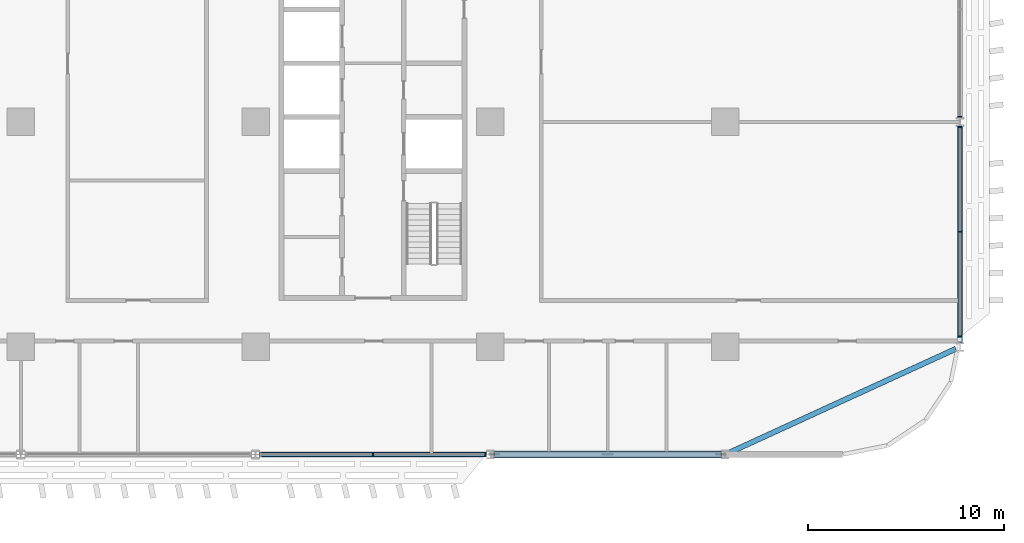
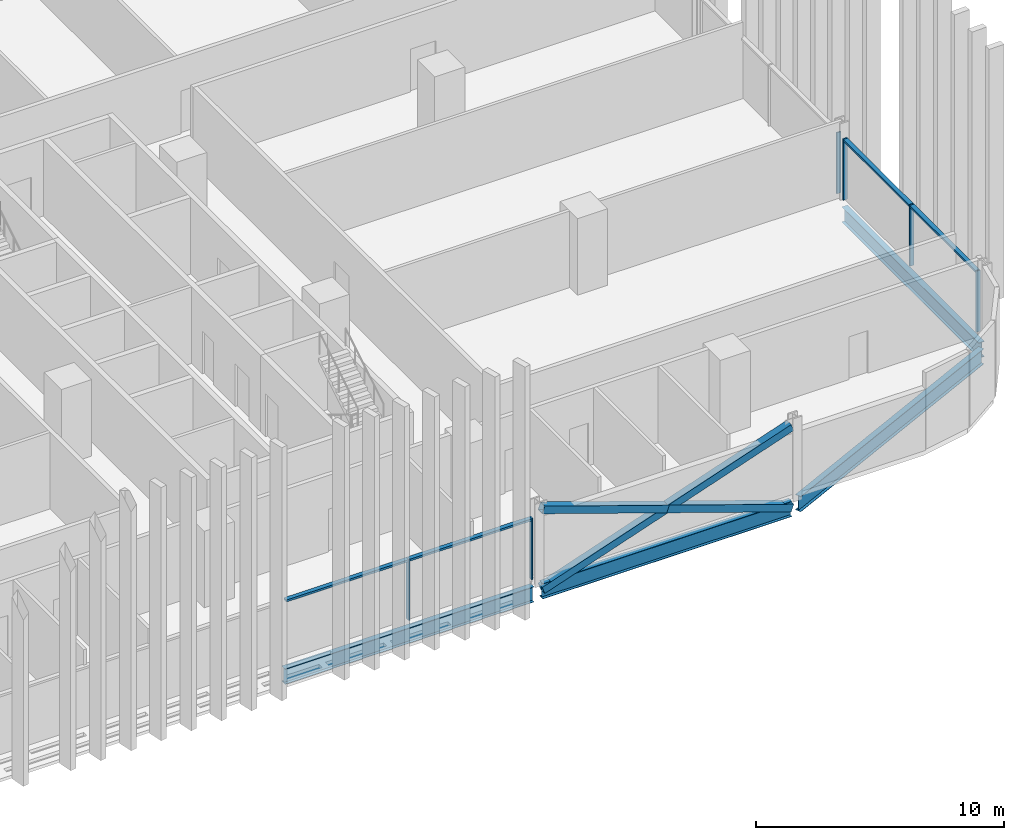
# One storey, part 8 of 31: 13 members, 4 beams, 3 elements without a shape of their own.
"""IFC4 building model written with IfcOpenShell, lengths in metres."""

from ifc_helpers import new_model, si_unit, direction, frame, origin, origin_2d, place, context, subcontext, project, spatial, rectangle, hollow_rectangle, i_section, extrude, material, material_profile, profile_set, type_object, element, aggregate, save


model = new_model("IFC4")

# Units and contexts
model_context = context("Model", 3, precision=1e-05, world=origin(), true_north=direction((0.0, 1.0)))
body_context = subcontext(model_context, "Body", "Model", "MODEL_VIEW")
ifc_project = project(units=[si_unit("LENGTHUNIT", "METRE"), si_unit("AREAUNIT", "SQUARE_METRE"), si_unit("VOLUMEUNIT", "CUBIC_METRE"), si_unit("PLANEANGLEUNIT", "RADIAN"), si_unit("MASSUNIT", "GRAM", prefix="KILO")], contexts=[model_context])

# Site, building, storey
site_placement = place(None, origin())
site = spatial("IfcSite", under=ifc_project, at=site_placement, CompositionType="ELEMENT")
building_placement = place(site_placement, origin())
building = spatial("IfcBuilding", under=site, at=building_placement, Name="Mahtab Terrace Research Tower", CompositionType="ELEMENT")
storey_placement = place(building_placement, frame((0.0, 0.0, 101.199951171875)))
storey = spatial("IfcBuildingStorey", under=building, at=storey_placement, Name="L23", CompositionType="ELEMENT", Elevation=101.199951171875)

# Members
ifc_material_1 = material(Name="Steel ASTM A500 Gr C", Category="steel")
ifc_material_profile_1 = material_profile(ifc_material_1, hollow_rectangle(XDim=0.355712890625, YDim=0.355712890625, WallThickness=0.01904296875, at=origin_2d()), Name="HSS14X14X3/4")
ifc_profile_set_1 = profile_set([ifc_material_profile_1], Name="Steel ASTM A500 Gr C")
member_type_1 = type_object("IfcMemberType", Name="HSS 14x14x3/4 brace XB141434", PredefinedType="BRACE", material=ifc_profile_set_1)
member_1_placement = place(storey_placement, frame((30.20947265625, -17.0, -0.646728515625), z_axis=(0.946292853795, 0.0, 0.323310740397), x_axis=(0.0, 1.0, 0.0)))
element("IfcMember", 1, at=member_1_placement, inside=storey, type_object=member_type_1, Name="Exoskeleton brace L23 18 a", PredefinedType="BRACE", context=body_context, shape_type="SweptSolid", body=[
    extrude(hollow_rectangle(XDim=0.355712890625, YDim=0.355712890625, WallThickness=0.01904296875, at=origin_2d()), origin(), (0.0, 0.0, 1.0), 12.23828125),
])
for number, where, z_axis, x_axis, name in (
    (2, (41.79052734375, -17.0, -0.646728515625), (-0.946298956945, 0.0, 0.323292876639), (0.0, -1.0, 0.0), "Exoskeleton brace L23 18 b1"),
    (3, (36.0, -17.0, 1.33154296875), (-0.946286750388, 0.0, 0.323328603809), (0.0, -1.0, 0.0), "Exoskeleton brace L23 18 b2"),
):
    element("IfcMember", number, at=place(storey_placement, frame(where, z_axis=z_axis, x_axis=x_axis)), inside=storey, type_object=member_type_1, Name=name, PredefinedType="BRACE", context=body_context, shape_type="SweptSolid", body=[
        extrude(hollow_rectangle(XDim=0.355712890625, YDim=0.355712890625, WallThickness=0.01904296875, at=origin_2d()), origin(), (0.0, 0.0, 1.0), 6.119140625),
    ])

# Curtain wall, members
ifc_material_2 = material(Name="Laboratory ribbon curtain wall")
curtain_wall_type = type_object("IfcCurtainWallType", Name="Laboratory ribbon curtain wall", PredefinedType="NOTDEFINED", material=ifc_material_2)
curtain_wall_1_placement = place(storey_placement, origin())
curtain_wall_1 = element("IfcCurtainWall", 4, at=curtain_wall_1_placement, inside=storey, type_object=curtain_wall_type, Name="EN.L23.13.28", PredefinedType="NOTDEFINED")
ifc_material_3 = material(Name="Natural anodised aluminium", Category="aluminium")
ifc_material_profile_2 = material_profile(ifc_material_3, rectangle(XDim=0.199951171875, YDim=0.06494140625, at=origin_2d()), Name="MULLION 65x200")
ifc_profile_set_2 = profile_set([ifc_material_profile_2], Name="Natural anodised aluminium")
member_type_2 = type_object("IfcMemberType", Name="Laboratory ribbon curtain wall mullion", PredefinedType="MULLION", material=ifc_profile_set_2)
member_2_placement = place(storey_placement, frame((24.0, -17.0, 0.0), z_axis=(0.0, 0.0, 1.0), x_axis=(0.0, 1.0, 0.0)))
member_2 = element("IfcMember", 5, at=member_2_placement, type_object=member_type_2, Name="CWL-3 mullion 2", PredefinedType="MULLION", context=body_context, shape_type="SweptSolid", body=[
    extrude(rectangle(XDim=0.199951171875, YDim=0.06494140625, at=origin_2d()), origin(), (0.0, 0.0, 1.0), 3.003173828125),
])
member_3_placement = place(storey_placement, frame((29.739501953125, -17.0, 0.0), z_axis=(0.0, 0.0, 1.0), x_axis=(0.0, 1.0, 0.0)))
member_3 = element("IfcMember", 6, at=member_3_placement, type_object=member_type_2, Name="CWL-3 mullion 3", PredefinedType="MULLION", context=body_context, shape_type="SweptSolid", body=[
    extrude(rectangle(XDim=0.199951171875, YDim=0.06494140625, at=origin_2d()), origin(), (0.0, 0.0, 1.0), 3.003173828125),
])

curtain_wall_2_placement = place(storey_placement, origin())
curtain_wall_2 = element("IfcCurtainWall", 7, at=curtain_wall_2_placement, inside=storey, type_object=curtain_wall_type, Name="EN.L23.18.36", PredefinedType="NOTDEFINED")
member_4_placement = place(storey_placement, frame((54.0, -10.967529296875, 0.0), z_axis=(0.0, 0.0, 1.0), x_axis=(-1.0, 0.0, 0.0)))
member_4 = element("IfcMember", 8, at=member_4_placement, type_object=member_type_2, Name="CWL-3 mullion 1", PredefinedType="MULLION", context=body_context, shape_type="SweptSolid", body=[
    extrude(rectangle(XDim=0.199951171875, YDim=0.06494140625, at=origin_2d()), origin(), (0.0, 0.0, 1.0), 3.003173828125),
])
member_5_placement = place(storey_placement, frame((54.0, -5.614013671875, 0.0), z_axis=(0.0, 0.0, 1.0), x_axis=(-1.0, 0.0, 0.0)))
member_5 = element("IfcMember", 9, at=member_5_placement, type_object=member_type_2, Name="CWL-3 mullion 2", PredefinedType="MULLION", context=body_context, shape_type="SweptSolid", body=[
    extrude(rectangle(XDim=0.199951171875, YDim=0.06494140625, at=origin_2d()), origin(), (0.0, 0.0, 1.0), 3.003173828125),
])
member_6_placement = place(storey_placement, frame((54.0, -0.260498046875, 0.0), z_axis=(0.0, 0.0, 1.0), x_axis=(-1.0, 0.0, 0.0)))
member_6 = element("IfcMember", 10, at=member_6_placement, type_object=member_type_2, Name="CWL-3 mullion 3", PredefinedType="MULLION", context=body_context, shape_type="SweptSolid", body=[
    extrude(rectangle(XDim=0.199951171875, YDim=0.06494140625, at=origin_2d()), origin(), (0.0, 0.0, 1.0), 3.003173828125),
])

# Curtain wall, member
curtain_wall_3_placement = place(storey_placement, origin())
curtain_wall_3 = element("IfcCurtainWall", 11, at=curtain_wall_3_placement, inside=storey, type_object=curtain_wall_type, Name="EN.L23.18.37", PredefinedType="NOTDEFINED")
member_7_placement = place(storey_placement, frame((54.0, 0.260498046875, 0.0), z_axis=(0.0, 0.0, 1.0), x_axis=(-1.0, 0.0, 0.0)))
member_7 = element("IfcMember", 12, at=member_7_placement, type_object=member_type_2, Name="CWL-3 mullion 1", PredefinedType="MULLION", context=body_context, shape_type="SweptSolid", body=[
    extrude(rectangle(XDim=0.199951171875, YDim=0.06494140625, at=origin_2d()), origin(), (0.0, 0.0, 1.0), 3.003173828125),
])
aggregate(curtain_wall_3, [member_7])

# Member
ifc_material_profile_3 = material_profile(ifc_material_3, rectangle(XDim=0.199951171875, YDim=0.10009765625, at=origin_2d()), Name="TRANSOM 100x200")
ifc_profile_set_3 = profile_set([ifc_material_profile_3], Name="Natural anodised aluminium")
member_type_3 = type_object("IfcMemberType", Name="Laboratory ribbon curtain wall transom", PredefinedType="USERDEFINED", material=ifc_profile_set_3)
member_8_placement = place(storey_placement, frame((18.29296875, -17.0, 2.953125), z_axis=(1.0, 0.0, 0.0), x_axis=(0.0, 1.0, 0.0)))
member_8 = element("IfcMember", 13, at=member_8_placement, type_object=member_type_3, Name="CWL-3 transom 1", ObjectType="TRANSOM", PredefinedType="USERDEFINED", context=body_context, shape_type="SweptSolid", body=[
    extrude(rectangle(XDim=0.199951171875, YDim=0.10009765625, at=origin_2d()), origin(), (0.0, 0.0, 1.0), 5.674560546875),
])

member_9_placement = place(storey_placement, frame((24.032470703125, -17.0, 2.953125), z_axis=(1.0, 0.0, 0.0), x_axis=(0.0, 1.0, 0.0)))
member_9 = element("IfcMember", 14, at=member_9_placement, type_object=member_type_3, Name="CWL-3 transom 2", ObjectType="TRANSOM", PredefinedType="USERDEFINED", context=body_context, shape_type="SweptSolid", body=[
    extrude(rectangle(XDim=0.199951171875, YDim=0.10009765625, at=origin_2d()), origin(), (0.0, 0.0, 1.0), 5.674560546875),
])

aggregate(curtain_wall_1, [member_2, member_3, member_8, member_9])

member_10_placement = place(storey_placement, frame((54.0, -10.93505859375, 2.953125), z_axis=(0.0, 1.0, 0.0), x_axis=(-1.0, 0.0, 0.0)))
member_10 = element("IfcMember", 15, at=member_10_placement, type_object=member_type_3, Name="CWL-3 transom 1", ObjectType="TRANSOM", PredefinedType="USERDEFINED", context=body_context, shape_type="SweptSolid", body=[
    extrude(rectangle(XDim=0.199951171875, YDim=0.10009765625, at=origin_2d()), origin(), (0.0, 0.0, 1.0), 5.28857421875),
])

member_11_placement = place(storey_placement, frame((54.0, -5.58154296875, 2.953125), z_axis=(0.0, 1.0, 0.0), x_axis=(-1.0, 0.0, 0.0)))
member_11 = element("IfcMember", 16, at=member_11_placement, type_object=member_type_3, Name="CWL-3 transom 2", ObjectType="TRANSOM", PredefinedType="USERDEFINED", context=body_context, shape_type="SweptSolid", body=[
    extrude(rectangle(XDim=0.199951171875, YDim=0.10009765625, at=origin_2d()), origin(), (0.0, 0.0, 1.0), 5.28857421875),
])

aggregate(curtain_wall_2, [member_4, member_5, member_6, member_10, member_11])

# Beams
ifc_material_4 = material(Name="Steel ASTM A992 Gr 50", Category="steel")
ifc_material_profile_4 = material_profile(ifc_material_4, i_section(OverallWidth=0.2666015625, OverallDepth=0.7568359375, WebThickness=0.013916015625, FlangeThickness=0.019287109375, at=origin_2d()), Name="W30X108")
ifc_profile_set_4 = profile_set([ifc_material_profile_4], Name="Steel ASTM A992 Gr 50")
beam_type = type_object("IfcBeamType", Name="W30x108 beam BS30108", PredefinedType="BEAM", material=ifc_profile_set_4)
for number, where, z_axis, x_axis, name in (
    (17, (18.20947265625, -17.0, -0.718505859375), (1.0, 0.0, 0.0), (0.0, 1.0, 0.0), "Spandrel beam L23 17"),
    (18, (30.20947265625, -17.0, -0.718505859375), (1.0, 0.0, 0.0), (0.0, 1.0, 0.0), "Spandrel beam L23 18"),
):
    element("IfcBeam", number, at=place(storey_placement, frame(where, z_axis=z_axis, x_axis=x_axis)), inside=storey, type_object=beam_type, Name=name, PredefinedType="BEAM", context=body_context, shape_type="SweptSolid", body=[
        extrude(i_section(OverallWidth=0.2666015625, OverallDepth=0.7568359375, WebThickness=0.013916015625, FlangeThickness=0.019287109375, at=origin_2d()), origin(), (0.0, 0.0, 1.0), 11.5810546875),
    ])
beam_1_placement = place(storey_placement, frame((42.20947265625, -16.904052734375, -0.718505859375), z_axis=(0.909061193532, 0.416662629011, 0.0), x_axis=(-0.416662629011, 0.909061193532, 0.0)))
element("IfcBeam", 19, at=beam_1_placement, inside=storey, type_object=beam_type, Name="Spandrel beam L23 19", PredefinedType="BEAM", context=body_context, shape_type="SweptSolid", body=[
    extrude(i_section(OverallWidth=0.2666015625, OverallDepth=0.7568359375, WebThickness=0.013916015625, FlangeThickness=0.019287109375, at=origin_2d()), origin(), (0.0, 0.0, 1.0), 12.739501953125),
])
beam_2_placement = place(storey_placement, frame((54.0, -11.272705078125, -0.718505859375), z_axis=(0.0, 1.0, 0.0), x_axis=(-1.0, 0.0, 0.0)))
element("IfcBeam", 20, at=beam_2_placement, inside=storey, type_object=beam_type, Name="Spandrel beam L23 20", PredefinedType="BEAM", context=body_context, shape_type="SweptSolid", body=[
    extrude(i_section(OverallWidth=0.2666015625, OverallDepth=0.7568359375, WebThickness=0.013916015625, FlangeThickness=0.019287109375, at=origin_2d()), origin(), (0.0, 0.0, 1.0), 11.04541015625),
])

save(model, "model.ifc")
